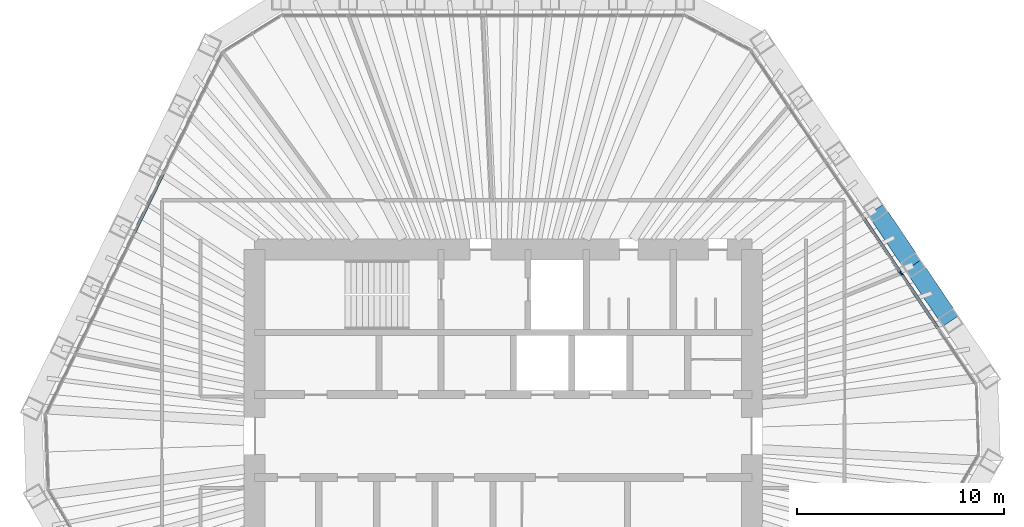
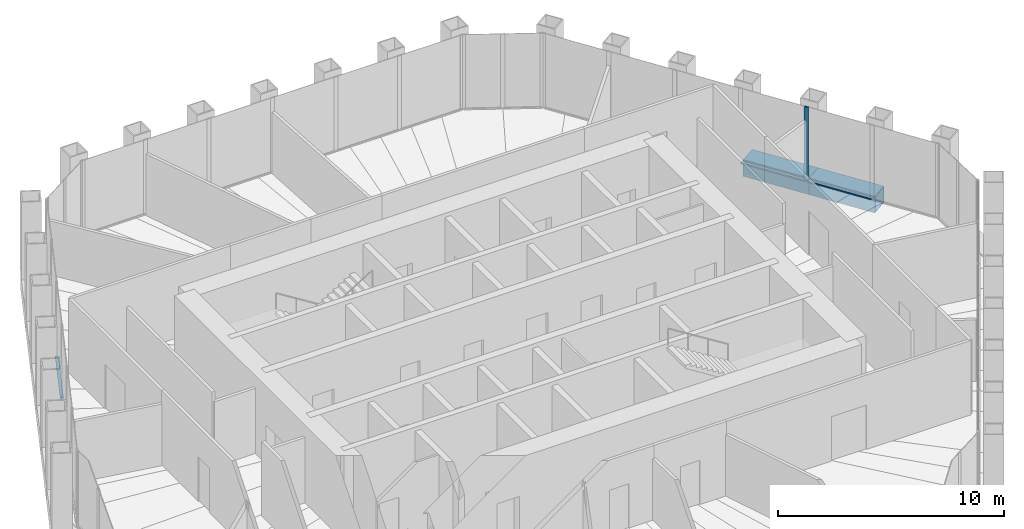
# One storey, part 6 of 14: 4 members, 2 beams, 2 elements without a shape of their own.
"""IFC4 building model written with IfcOpenShell, lengths in metres."""

from ifc_helpers import new_model, si_unit, direction, frame, origin, origin_2d, place, context, subcontext, project, spatial, rectangle, hollow_rectangle, extrude, material, material_profile, profile_set, type_object, element, aggregate, save


model = new_model("IFC4")

# Units and contexts
model_context = context("Model", 3, precision=1e-05, world=origin(), true_north=direction((0.0, 1.0)))
body_context = subcontext(model_context, "Body", "Model", "MODEL_VIEW")
ifc_project = project(units=[si_unit("LENGTHUNIT", "METRE"), si_unit("AREAUNIT", "SQUARE_METRE"), si_unit("VOLUMEUNIT", "CUBIC_METRE"), si_unit("PLANEANGLEUNIT", "RADIAN"), si_unit("MASSUNIT", "GRAM", prefix="KILO")], contexts=[model_context])

# Site, building, storey
site_placement = place(None, origin())
site = spatial("IfcSite", under=ifc_project, at=site_placement, CompositionType="ELEMENT")
building_placement = place(site_placement, origin())
building = spatial("IfcBuilding", under=site, at=building_placement, Name="Qingtian Harvest Tower", CompositionType="ELEMENT")
storey_placement = place(building_placement, frame((0.0, 0.0, 274.60009765625)))
storey = spatial("IfcBuildingStorey", under=building, at=storey_placement, Name="L60", CompositionType="ELEMENT", Elevation=274.60009765625)

# Curtain wall, member
ifc_material_1 = material(Name="Bronze-anodised aluminium curtain wall", Category="aluminium")
curtain_wall_type = type_object("IfcCurtainWallType", Name="Curtain wall CW5 upper office", PredefinedType="USERDEFINED", material=ifc_material_1)
curtain_wall_1_placement = place(storey_placement, origin())
curtain_wall_1 = element("IfcCurtainWall", 1, at=curtain_wall_1_placement, inside=storey, type_object=curtain_wall_type, Name="Curtain wall CW5 L60 NE0-5", ObjectType="RECESSED CURTAIN WALL", PredefinedType="USERDEFINED")
ifc_material_2 = material(Name="Bronze-anodised aluminium mullion", Category="aluminium")
ifc_material_profile_1 = material_profile(ifc_material_2, rectangle(XDim=0.06494140625, YDim=0.199951171875, at=origin_2d()), Name="AL 65x200")
ifc_profile_set_1 = profile_set([ifc_material_profile_1], Name="Bronze-anodised aluminium mullion")
member_type_1 = type_object("IfcMemberType", Name="Mullion CWM 65x200", PredefinedType="MULLION", material=ifc_profile_set_1)
member_1_placement = place(storey_placement, frame((19.192626953125, 7.847900390625, 0.0), z_axis=(0.0, 0.0, 1.0), x_axis=(0.829037572555, 0.559192903471, 0.0)))
member_1 = element("IfcMember", 2, at=member_1_placement, type_object=member_type_1, Name="CW5 mullion 5", PredefinedType="MULLION", context=body_context, shape_type="SweptSolid", body=[
    extrude(rectangle(XDim=0.06494140625, YDim=0.199951171875, at=origin_2d()), origin(), (0.0, 0.0, 1.0), 4.02978515625),
])

# Beams
ifc_material_3 = material(Name="Steel SM570MC", Category="steel")
ifc_material_profile_2 = material_profile(ifc_material_3, hollow_rectangle(XDim=0.89990234375, YDim=0.89990234375, WallThickness=0.050048828125, at=origin_2d()), Name="BOX900x900x50")
ifc_profile_set_2 = profile_set([ifc_material_profile_2], Name="Steel SM570MC")
beam_type = type_object("IfcBeamType", Name="Transition spandrel SB6 BOX900x900x50", PredefinedType="SPANDREL", material=ifc_profile_set_2)
for number, where, z_axis, x_axis, name in (
    (3, (17.956787109375, 10.93212890625, -0.4501953125), (0.55915007887, -0.829066456504, 0.0), (0.829066456504, 0.55915007887, 0.0), "Spandrel SB6 NE3"),
    (4, (19.77294921875, 8.2392578125, -0.4501953125), (0.5592365864, -0.829008106372, 0.0), (0.829008106372, 0.5592365864, 0.0), "Spandrel SB6 NE4"),
):
    element("IfcBeam", number, at=place(storey_placement, frame(where, z_axis=z_axis, x_axis=x_axis)), inside=storey, type_object=beam_type, Name=name, PredefinedType="SPANDREL", context=body_context, shape_type="SweptSolid", body=[
        extrude(hollow_rectangle(XDim=0.89990234375, YDim=0.89990234375, WallThickness=0.050048828125, at=origin_2d()), origin(), (0.0, 0.0, 1.0), 3.248046875),
    ])

# Member
ifc_material_4 = material(Name="Bronze-anodised aluminium transom", Category="aluminium")
ifc_material_profile_3 = material_profile(ifc_material_4, rectangle(XDim=0.14990234375, YDim=0.06494140625, at=origin_2d()), Name="AL 65x150")
ifc_profile_set_3 = profile_set([ifc_material_profile_3], Name="Bronze-anodised aluminium transom")
member_type_2 = type_object("IfcMemberType", Name="Transom CWT 65x150", PredefinedType="USERDEFINED", material=ifc_profile_set_3)
member_2_placement = place(storey_placement, frame((17.39453125, 10.513671875, 0.032470703125), z_axis=(0.55920542009, -0.829029129852, 0.0), x_axis=(0.829029129852, 0.55920542009, 0.0)))
member_2 = element("IfcMember", 5, at=member_2_placement, type_object=member_type_2, Name="CW5 transom 4.1", ObjectType="TRANSOM", PredefinedType="USERDEFINED", context=body_context, shape_type="SweptSolid", body=[
    extrude(rectangle(XDim=0.14990234375, YDim=0.06494140625, at=origin_2d()), origin(), (0.0, 0.0, 1.0), 3.18310546875),
])

member_3_placement = place(storey_placement, frame((19.2109375, 7.821044921875, 0.032470703125), z_axis=(0.559152702955, -0.829064686727, 0.0), x_axis=(0.829064686727, 0.559152702955, 0.0)))
member_3 = element("IfcMember", 6, at=member_3_placement, type_object=member_type_2, Name="CW5 transom 5.1", ObjectType="TRANSOM", PredefinedType="USERDEFINED", context=body_context, shape_type="SweptSolid", body=[
    extrude(rectangle(XDim=0.14990234375, YDim=0.06494140625, at=origin_2d()), origin(), (0.0, 0.0, 1.0), 3.18310546875),
])

aggregate(curtain_wall_1, [member_1, member_2, member_3])

# Curtain wall, member
curtain_wall_2_placement = place(storey_placement, origin())
curtain_wall_2 = element("IfcCurtainWall", 7, at=curtain_wall_2_placement, inside=storey, type_object=curtain_wall_type, Name="Curtain wall CW5 L60 NW0-5", ObjectType="RECESSED CURTAIN WALL", PredefinedType="USERDEFINED")
member_4_placement = place(storey_placement, frame((-17.802490234375, 9.807373046875, 0.032470703125), z_axis=(0.438355626738, 0.898801615768, 0.0), x_axis=(-0.898801615768, 0.438355626738, 0.0)))
member_4 = element("IfcMember", 8, at=member_4_placement, type_object=member_type_2, Name="CW5 transom 4.1", ObjectType="TRANSOM", PredefinedType="USERDEFINED", context=body_context, shape_type="SweptSolid", body=[
    extrude(rectangle(XDim=0.14990234375, YDim=0.06494140625, at=origin_2d()), origin(), (0.0, 0.0, 1.0), 3.182861328125),
])
aggregate(curtain_wall_2, [member_4])

save(model, "model.ifc")
